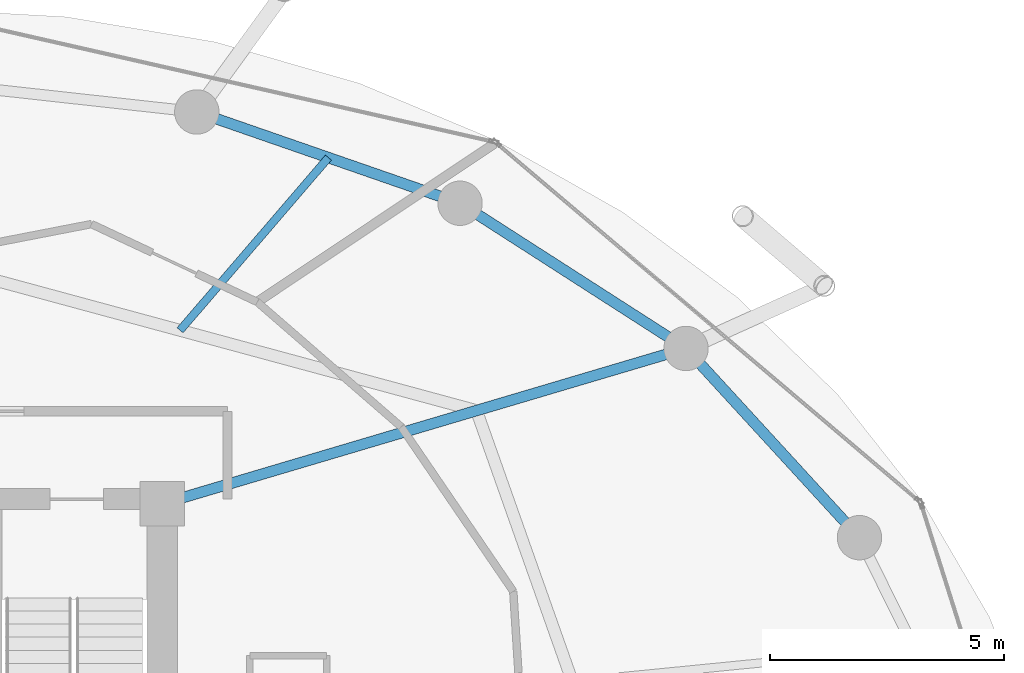
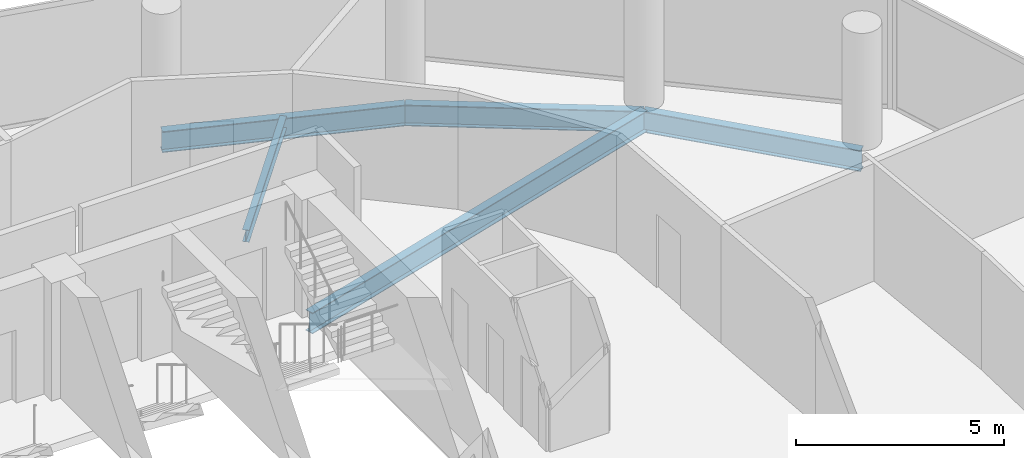
# One storey, part 18 of 26: 5 beams.
"""IFC4 building model written with IfcOpenShell, lengths in metres."""

import ifcopenshell
import ifcopenshell.guid

model = None  # the IFC model being written
_history = None  # IfcOwnerHistory: only IFC2X3 demands one
_inside = {}  # id of a spatial element -> (the spatial element, [elements in it])
_under = {}  # id of a project, library or spatial element -> (it, [spatial elements below it])
_declared = {}  # id of a project -> (the project, [libraries it declares])
_typed = {}  # id of a type object -> (the type object, [elements of that type])
_made_of = {}  # id of a material, layer set ... -> (it, [elements and type objects made of it])


def new_model(schema):
    """Start an empty IFC model of exactly this schema.

    Asked for "IFC4X3", IfcOpenShell would pick the latest addendum, in which some entities
    have other attributes; the version numbers below select the first issue.
    IFC2X3 requires an IfcOwnerHistory on every rooted entity: one is made here for all.
    """
    global model, _history
    if schema == "IFC4X3":
        model = ifcopenshell.file(schema_version=(4, 3, 0, 0))
    else:
        model = ifcopenshell.file(schema=schema)
    _inside.clear()
    _under.clear()
    _declared.clear()
    _typed.clear()
    _made_of.clear()
    _history = None
    if model.schema == "IFC2X3":
        org = make("IfcOrganization", Name="unknown")
        user = make(
            "IfcPersonAndOrganization",
            ThePerson=make("IfcPerson", FamilyName="unknown"),
            TheOrganization=org,
        )
        app = make(
            "IfcApplication",
            ApplicationDeveloper=org,
            Version="unknown",
            ApplicationFullName="unknown",
            ApplicationIdentifier="unknown",
        )
        _history = make(
            "IfcOwnerHistory",
            OwningUser=user,
            OwningApplication=app,
            ChangeAction="ADDED",
            CreationDate=0,
        )
    return model


def make(cls, **values):
    """One entity of the class cls with the attributes given. An attribute that is None is left unset."""
    return model.create_entity(
        cls, **{name: value for name, value in values.items() if value is not None}
    )


def rooted(cls, **values):
    """An entity with a GlobalId (a new one), such as an element, a storey or a relation."""
    return make(cls, GlobalId=ifcopenshell.guid.new(), OwnerHistory=_history, **values)


def si_unit(unit_type, name, prefix=None):
    """IfcSIUnit, for example si_unit("LENGTHUNIT", "METRE", prefix="MILLI")."""
    return make("IfcSIUnit", UnitType=unit_type, Prefix=prefix, Name=name)


def assignment(units):
    """IfcUnitAssignment: the units of a project."""
    return None if units is None else make("IfcUnitAssignment", Units=units)


def point(xyz):
    """IfcCartesianPoint."""
    return None if xyz is None else make("IfcCartesianPoint", Coordinates=xyz)


def direction(xyz):
    """IfcDirection."""
    return None if xyz is None else make("IfcDirection", DirectionRatios=xyz)


def frame(location, z_axis=None, x_axis=None):
    """IfcAxis2Placement3D, a coordinate frame: its origin and axes. An axis left out is left unset."""
    return make(
        "IfcAxis2Placement3D",
        Location=point(location),
        Axis=direction(z_axis),
        RefDirection=direction(x_axis),
    )


def frame_2d(location, x_axis=None):
    """IfcAxis2Placement2D, a coordinate frame in the plane: its origin and x axis."""
    return make(
        "IfcAxis2Placement2D", Location=point(location), RefDirection=direction(x_axis)
    )


def origin():
    """The frame at (0, 0, 0) with its axes left unset."""
    return frame((0.0, 0.0, 0.0))


def origin_2d():
    """The frame at (0, 0) in the plane with its x axis left unset."""
    return frame_2d((0.0, 0.0))


def place(relative_to, where):
    """IfcLocalPlacement: puts the frame where relative to a parent placement (None: the world)."""
    return make(
        "IfcLocalPlacement", PlacementRelTo=relative_to, RelativePlacement=where
    )


def context(
    kind, dimensions, precision=None, world=None, true_north=None, identifier=None
):
    """IfcGeometricRepresentationContext, for example the 3D "Model" context."""
    return make(
        "IfcGeometricRepresentationContext",
        ContextIdentifier=identifier,
        ContextType=kind,
        CoordinateSpaceDimension=dimensions,
        Precision=precision,
        WorldCoordinateSystem=world,
        TrueNorth=true_north,
    )


def subcontext(parent, identifier, kind, view, scale=None):
    """IfcGeometricRepresentationSubContext, for example "Body" below "Model"."""
    return make(
        "IfcGeometricRepresentationSubContext",
        ContextIdentifier=identifier,
        ContextType=kind,
        ParentContext=parent,
        TargetScale=scale,
        TargetView=view,
    )


def project(units=None, contexts=None):
    """IfcProject with its units and contexts."""
    return rooted(
        "IfcProject",
        Name="project",
        RepresentationContexts=contexts,
        UnitsInContext=assignment(units),
    )


def spatial(cls, under=None, at=None, **own):
    """A site, building, storey or space (cls), placed at a placement, below another one or the project."""
    s = rooted(cls, ObjectPlacement=at, **own)
    if under is not None:
        _under.setdefault(under.id(), (under, []))[1].append(s)
    return s


def profile(cls, at=None, kind="AREA", **sizes):
    """A parametric profile (cls). Its sizes go by their IFC names, for example OverallWidth=200.0."""
    return make(cls, ProfileType=kind, Position=at, **sizes)


def i_section(**sizes):
    """IfcIShapeProfileDef."""
    return profile("IfcIShapeProfileDef", **sizes)


def extrude(swept, where, along, depth):
    """IfcExtrudedAreaSolid: the profile swept, set in the frame where, extruded along a direction by depth."""
    return make(
        "IfcExtrudedAreaSolid",
        SweptArea=swept,
        Position=where,
        ExtrudedDirection=direction(along),
        Depth=depth,
    )


def shape(context_of_items, identifier, shape_type, items):
    """IfcShapeRepresentation: the items that make up one representation, for example the "Body"."""
    return make(
        "IfcShapeRepresentation",
        ContextOfItems=context_of_items,
        RepresentationIdentifier=identifier,
        RepresentationType=shape_type,
        Items=items,
    )


def material(Name=None, Category=None):
    """IfcMaterial."""
    return make("IfcMaterial", Name=Name, Category=Category)


def material_profile(
    of_material, cross_section, Name=None, Category=None, Priority=None
):
    """IfcMaterialProfile: a cross section and its material."""
    return make(
        "IfcMaterialProfile",
        Name=Name,
        Material=of_material,
        Profile=cross_section,
        Priority=Priority,
        Category=Category,
    )


def profile_set(profiles, Name=None, composite=None):
    """IfcMaterialProfileSet."""
    return make(
        "IfcMaterialProfileSet",
        Name=Name,
        MaterialProfiles=profiles,
        CompositeProfile=composite,
    )


def made_of(thing, what):
    """Note that an element or type object is made of a material, layer set ...; save() writes the relation."""
    if what is not None:
        _made_of.setdefault(what.id(), (what, []))[1].append(thing)
    return thing


def type_object(cls, material=None, **own):
    """A type object (cls), such as IfcWallType, which elements share."""
    return made_of(rooted(cls, **own), material)


def element(
    cls,
    number,
    at=None,
    inside=None,
    cuts=None,
    type_object=None,
    material=None,
    context=None,
    identifier="Body",
    shape_type=None,
    held_by="IfcProductDefinitionShape",
    body=None,
    shapes=None,
    **own,
):
    """One element of the class cls, such as IfcWall. Its Tag is "e" and its number.

    at: its placement. inside: the storey or other place that contains it. cuts: it is an
    opening in that element (IfcRelVoidsElement). A single representation is given by context,
    identifier, shape_type and body (its items); several are given by shapes. held_by: the class
    of the entity that holds the representations. save() writes the other relations.
    """
    e = rooted(cls, Tag="e%d" % number, ObjectPlacement=at, **own)
    if body is not None:
        shapes = [shape(context, identifier, shape_type, body)]
    if shapes is not None:
        e.Representation = make(held_by, Representations=shapes)
    if inside is not None:
        _inside.setdefault(inside.id(), (inside, []))[1].append(e)
    if cuts is not None:
        rooted(
            "IfcRelVoidsElement", RelatingBuildingElement=cuts, RelatedOpeningElement=e
        )
    if type_object is not None:
        _typed.setdefault(type_object.id(), (type_object, []))[1].append(e)
    return made_of(e, material)


def aggregate(whole, parts):
    """IfcRelAggregates: a whole, such as a stair, and the parts it consists of."""
    return rooted("IfcRelAggregates", RelatingObject=whole, RelatedObjects=parts)


def save(model, path):
    """Write the relations noted so far, then the file.

    IfcRelAggregates (storeys below a building ...), IfcRelContainedInSpatialStructure (elements
    in a storey), IfcRelDefinesByType, IfcRelAssociatesMaterial and IfcRelDeclares: one each for
    every whole, place, type object, material and project.
    """
    for whole, parts in _under.values():
        aggregate(whole, parts)
    for where, things in _inside.values():
        rooted(
            "IfcRelContainedInSpatialStructure",
            RelatedElements=things,
            RelatingStructure=where,
        )
    for kind, things in _typed.values():
        rooted("IfcRelDefinesByType", RelatedObjects=things, RelatingType=kind)
    for what, things in _made_of.values():
        rooted("IfcRelAssociatesMaterial", RelatedObjects=things, RelatingMaterial=what)
    for by, libraries in _declared.values():
        rooted("IfcRelDeclares", RelatingContext=by, RelatedDefinitions=libraries)
    model.write(path)


model = new_model("IFC4")

# Units and contexts
model_context = context("Model", 3, precision=1e-05, world=origin(), true_north=direction((0.0, 1.0)))
body_context = subcontext(model_context, "Body", "Model", "MODEL_VIEW")
ifc_project = project(units=[si_unit("LENGTHUNIT", "METRE"), si_unit("AREAUNIT", "SQUARE_METRE"), si_unit("VOLUMEUNIT", "CUBIC_METRE"), si_unit("PLANEANGLEUNIT", "RADIAN"), si_unit("MASSUNIT", "GRAM", prefix="KILO")], contexts=[model_context])

# Site, building, storey
site_placement = place(None, origin())
site = spatial("IfcSite", under=ifc_project, at=site_placement, CompositionType="ELEMENT")
building_placement = place(site_placement, origin())
building = spatial("IfcBuilding", under=site, at=building_placement, Name="Nuhasar Tower", CompositionType="ELEMENT")
storey_placement = place(building_placement, frame((0.0, 0.0, 129.35009765625)))
storey = spatial("IfcBuildingStorey", under=building, at=storey_placement, Name="L30", CompositionType="ELEMENT", Elevation=129.35009765625)

# Beams
ifc_material = material(Name="Steel S355", Category="steel")
ifc_material_profile_1 = material_profile(ifc_material, i_section(OverallWidth=0.1708984375, OverallDepth=0.35205078125, WebThickness=0.0068359375, FlangeThickness=0.009765625, at=origin_2d()), Name="W14X30")
ifc_profile_set_1 = profile_set([ifc_material_profile_1], Name="Steel S355")
beam_type_1 = type_object("IfcBeamType", Name="BM-JST-W14X30", PredefinedType="JOIST", material=ifc_profile_set_1)
beam_1_placement = place(storey_placement, frame((44.68408203125, 41.011962890625, -0.426025390625), z_axis=(0.651690621509, 0.758484893612, 0.0), x_axis=(-0.758484893612, 0.651690621509, 0.0)))
element("IfcBeam", 1, at=beam_1_placement, inside=storey, type_object=beam_type_1, Name="L30 Secondary Floor Joist 05", PredefinedType="JOIST", context=body_context, shape_type="SweptSolid", body=[
    extrude(i_section(OverallWidth=0.1708984375, OverallDepth=0.35205078125, WebThickness=0.0068359375, FlangeThickness=0.009765625, at=origin_2d()), origin(), (0.0, 0.0, 1.0), 4.87158203125),
])
ifc_material_profile_2 = material_profile(ifc_material, i_section(OverallWidth=0.22900390625, OverallDepth=0.612060546875, WebThickness=0.011962890625, FlangeThickness=0.01953125, at=origin_2d()), Name="W24X84")
ifc_profile_set_2 = profile_set([ifc_material_profile_2], Name="Steel S355")
beam_type_2 = type_object("IfcBeamType", Name="BM-RAD-W24X84", PredefinedType="BEAM", material=ifc_profile_set_2)
beam_2_placement = place(storey_placement, frame((44.300048828125, 37.300048828125, -0.55615234375), z_axis=(0.958746492721, 0.284262489076, 0.0), x_axis=(-0.284262489076, 0.958746492721, 0.0)))
element("IfcBeam", 2, at=beam_2_placement, inside=storey, type_object=beam_type_2, Name="L30 Radial Floor Girder 05", PredefinedType="BEAM", context=body_context, shape_type="SweptSolid", body=[
    extrude(i_section(OverallWidth=0.22900390625, OverallDepth=0.612060546875, WebThickness=0.011962890625, FlangeThickness=0.01953125, at=origin_2d()), origin(), (0.0, 0.0, 1.0), 11.693359375),
])
ifc_material_profile_3 = material_profile(ifc_material, i_section(OverallWidth=0.22998046875, OverallDepth=0.616943359375, WebThickness=0.01318359375, FlangeThickness=0.022216796875, at=origin_2d()), Name="W24X94")
ifc_profile_set_3 = profile_set([ifc_material_profile_3], Name="Steel S355")
beam_type_3 = type_object("IfcBeamType", Name="BM-RING-W24X94", PredefinedType="SPANDREL", material=ifc_profile_set_3)
beam_3_placement = place(storey_placement, frame((59.221923828125, 36.574951171875, -0.55908203125), z_axis=(-0.675654174897, 0.737218716491, 0.0), x_axis=(-0.737218716491, -0.675654174897, 0.0)))
element("IfcBeam", 3, at=beam_3_placement, inside=storey, type_object=beam_type_3, Name="L30 Perimeter Ring Spandrel 03", PredefinedType="SPANDREL", context=body_context, shape_type="SweptSolid", body=[
    extrude(i_section(OverallWidth=0.22998046875, OverallDepth=0.616943359375, WebThickness=0.01318359375, FlangeThickness=0.022216796875, at=origin_2d()), origin(), (0.0, 0.0, 1.0), 5.492431640625),
])
beam_4_placement = place(storey_placement, frame((55.510986328125, 40.6240234375, -0.55908203125), z_axis=(-0.841327486207, 0.540525726448, 0.0), x_axis=(-0.540525726448, -0.841327486207, 0.0)))
element("IfcBeam", 4, at=beam_4_placement, inside=storey, type_object=beam_type_3, Name="L30 Perimeter Ring Spandrel 04", PredefinedType="SPANDREL", context=body_context, shape_type="SweptSolid", body=[
    extrude(i_section(OverallWidth=0.22998046875, OverallDepth=0.616943359375, WebThickness=0.01318359375, FlangeThickness=0.022216796875, at=origin_2d()), origin(), (0.0, 0.0, 1.0), 5.748046875),
])
beam_5_placement = place(storey_placement, frame((50.675048828125, 43.73095703125, -0.55908203125), z_axis=(-0.944801380051, 0.327643636066, 0.0), x_axis=(-0.327643636066, -0.944801380051, 0.0)))
element("IfcBeam", 5, at=beam_5_placement, inside=storey, type_object=beam_type_3, Name="L30 Perimeter Ring Spandrel 05", PredefinedType="SPANDREL", context=body_context, shape_type="SweptSolid", body=[
    extrude(i_section(OverallWidth=0.22998046875, OverallDepth=0.616943359375, WebThickness=0.01318359375, FlangeThickness=0.022216796875, at=origin_2d()), origin(), (0.0, 0.0, 1.0), 5.961181640625),
])

save(model, "model.ifc")
